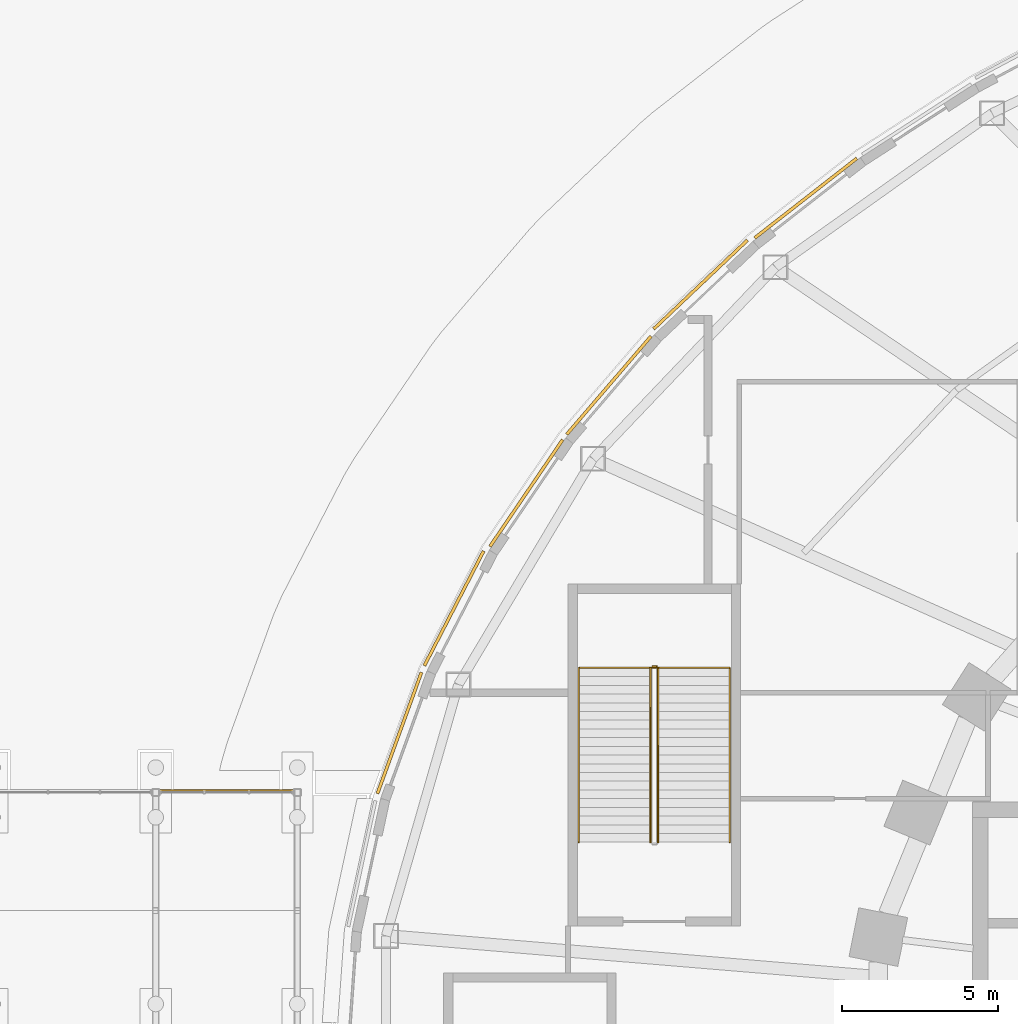
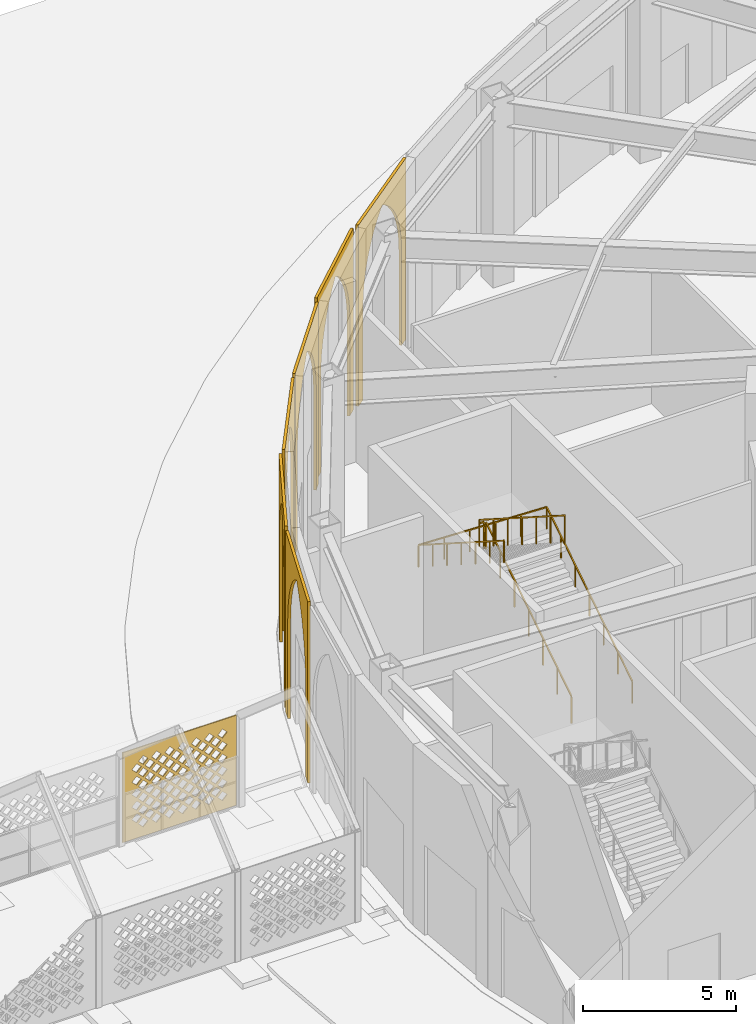
# One storey, part 72 of 79: 7 coverings, 4 railings.
"""IFC4 building model written with IfcOpenShell, lengths in metres."""

from ifc_helpers import new_model, si_unit, direction, frame, origin, origin_2d, place, context, subcontext, project, spatial, polyline, rectangle, outline, extrude, material, layer, layer_set, type_object, element, save


model = new_model("IFC4")

# Units and contexts
model_context = context("Model", 3, precision=1e-05, world=origin(), true_north=direction((0.0, 1.0)))
body_context = subcontext(model_context, "Body", "Model", "MODEL_VIEW")
ifc_project = project(units=[si_unit("LENGTHUNIT", "METRE"), si_unit("AREAUNIT", "SQUARE_METRE"), si_unit("VOLUMEUNIT", "CUBIC_METRE"), si_unit("PLANEANGLEUNIT", "RADIAN"), si_unit("MASSUNIT", "GRAM", prefix="KILO")], contexts=[model_context])

# Site, building, storey
site_placement = place(None, origin())
site = spatial("IfcSite", under=ifc_project, at=site_placement, CompositionType="ELEMENT")
building_placement = place(site_placement, origin())
building = spatial("IfcBuilding", under=site, at=building_placement, Name="Noorbagh Ring Tower", CompositionType="ELEMENT")
storey_placement = place(building_placement, origin())
storey = spatial("IfcBuildingStorey", under=building, at=storey_placement, Name="L00", CompositionType="ELEMENT", Elevation=0.0)

# Covering
ifc_material_1 = material(Name="Red sandstone jali", Category="masonry")
ifc_layer_1 = layer(ifc_material_1, 0.0400390625)
ifc_layer_set_1 = layer_set([ifc_layer_1], Name="Red sandstone jali")
covering_type_1 = type_object("IfcCoveringType", Name="AR-JALI", PredefinedType="USERDEFINED", material=ifc_layer_set_1)
covering_1_placement = place(storey_placement, frame((-53.324951171875, 8.889892578125, 0.0), z_axis=(0.0, 1.0, 0.0), x_axis=(-1.0, 0.0, 0.0)))
element("IfcCovering", 1, at=covering_1_placement, inside=storey, type_object=covering_type_1, Name="Jali screen", ObjectType="SCREEN", PredefinedType="USERDEFINED", context=body_context, shape_type="SweptSolid", body=[
    extrude(outline(polyline([(0.0, 0.0), (4.300048828125, 0.0), (4.300048828125, 3.60009765625), (0.0, 3.60009765625), (0.0, 0.0)]), holes=[polyline([(0.344970703125, 0.550048828125), (0.52490234375, 0.3701171875), (0.705078125, 0.550048828125), (0.52490234375, 0.72998046875), (0.344970703125, 0.550048828125)]), polyline([(0.844970703125, 0.550048828125), (1.02490234375, 0.3701171875), (1.205078125, 0.550048828125), (1.02490234375, 0.72998046875), (0.844970703125, 0.550048828125)]), polyline([(1.344970703125, 0.550048828125), (1.52490234375, 0.3701171875), (1.705078125, 0.550048828125), (1.52490234375, 0.72998046875), (1.344970703125, 0.550048828125)]), polyline([(1.844970703125, 0.550048828125), (2.02490234375, 0.3701171875), (2.205078125, 0.550048828125), (2.02490234375, 0.72998046875), (1.844970703125, 0.550048828125)]), polyline([(2.344970703125, 0.550048828125), (2.52490234375, 0.3701171875), (2.705078125, 0.550048828125), (2.52490234375, 0.72998046875), (2.344970703125, 0.550048828125)]), polyline([(2.844970703125, 0.550048828125), (3.02490234375, 0.3701171875), (3.205078125, 0.550048828125), (3.02490234375, 0.72998046875), (2.844970703125, 0.550048828125)]), polyline([(3.344970703125, 0.550048828125), (3.52490234375, 0.3701171875), (3.705078125, 0.550048828125), (3.52490234375, 0.72998046875), (3.344970703125, 0.550048828125)]), polyline([(0.594970703125, 0.800048828125), (0.77490234375, 0.6201171875), (0.955078125, 0.800048828125), (0.77490234375, 0.97998046875), (0.594970703125, 0.800048828125)]), polyline([(1.094970703125, 0.800048828125), (1.27490234375, 0.6201171875), (1.455078125, 0.800048828125), (1.27490234375, 0.97998046875), (1.094970703125, 0.800048828125)]), polyline([(1.594970703125, 0.800048828125), (1.77490234375, 0.6201171875), (1.955078125, 0.800048828125), (1.77490234375, 0.97998046875), (1.594970703125, 0.800048828125)]), polyline([(2.094970703125, 0.800048828125), (2.27490234375, 0.6201171875), (2.455078125, 0.800048828125), (2.27490234375, 0.97998046875), (2.094970703125, 0.800048828125)]), polyline([(2.594970703125, 0.800048828125), (2.77490234375, 0.6201171875), (2.955078125, 0.800048828125), (2.77490234375, 0.97998046875), (2.594970703125, 0.800048828125)]), polyline([(3.094970703125, 0.800048828125), (3.27490234375, 0.6201171875), (3.455078125, 0.800048828125), (3.27490234375, 0.97998046875), (3.094970703125, 0.800048828125)]), polyline([(3.594970703125, 0.800048828125), (3.77490234375, 0.6201171875), (3.955078125, 0.800048828125), (3.77490234375, 0.97998046875), (3.594970703125, 0.800048828125)]), polyline([(0.344970703125, 1.050048828125), (0.52490234375, 0.8701171875), (0.705078125, 1.050048828125), (0.52490234375, 1.22998046875), (0.344970703125, 1.050048828125)]), polyline([(0.844970703125, 1.050048828125), (1.02490234375, 0.8701171875), (1.205078125, 1.050048828125), (1.02490234375, 1.22998046875), (0.844970703125, 1.050048828125)]), polyline([(1.344970703125, 1.050048828125), (1.52490234375, 0.8701171875), (1.705078125, 1.050048828125), (1.52490234375, 1.22998046875), (1.344970703125, 1.050048828125)]), polyline([(1.844970703125, 1.050048828125), (2.02490234375, 0.8701171875), (2.205078125, 1.050048828125), (2.02490234375, 1.22998046875), (1.844970703125, 1.050048828125)]), polyline([(2.344970703125, 1.050048828125), (2.52490234375, 0.8701171875), (2.705078125, 1.050048828125), (2.52490234375, 1.22998046875), (2.344970703125, 1.050048828125)]), polyline([(2.844970703125, 1.050048828125), (3.02490234375, 0.8701171875), (3.205078125, 1.050048828125), (3.02490234375, 1.22998046875), (2.844970703125, 1.050048828125)]), polyline([(3.344970703125, 1.050048828125), (3.52490234375, 0.8701171875), (3.705078125, 1.050048828125), (3.52490234375, 1.22998046875), (3.344970703125, 1.050048828125)]), polyline([(0.594970703125, 1.300048828125), (0.77490234375, 1.1201171875), (0.955078125, 1.300048828125), (0.77490234375, 1.47998046875), (0.594970703125, 1.300048828125)]), polyline([(1.094970703125, 1.300048828125), (1.27490234375, 1.1201171875), (1.455078125, 1.300048828125), (1.27490234375, 1.47998046875), (1.094970703125, 1.300048828125)]), polyline([(1.594970703125, 1.300048828125), (1.77490234375, 1.1201171875), (1.955078125, 1.300048828125), (1.77490234375, 1.47998046875), (1.594970703125, 1.300048828125)]), polyline([(2.094970703125, 1.300048828125), (2.27490234375, 1.1201171875), (2.455078125, 1.300048828125), (2.27490234375, 1.47998046875), (2.094970703125, 1.300048828125)]), polyline([(2.594970703125, 1.300048828125), (2.77490234375, 1.1201171875), (2.955078125, 1.300048828125), (2.77490234375, 1.47998046875), (2.594970703125, 1.300048828125)]), polyline([(3.094970703125, 1.300048828125), (3.27490234375, 1.1201171875), (3.455078125, 1.300048828125), (3.27490234375, 1.47998046875), (3.094970703125, 1.300048828125)]), polyline([(3.594970703125, 1.300048828125), (3.77490234375, 1.1201171875), (3.955078125, 1.300048828125), (3.77490234375, 1.47998046875), (3.594970703125, 1.300048828125)]), polyline([(0.344970703125, 1.550048828125), (0.52490234375, 1.3701171875), (0.705078125, 1.550048828125), (0.52490234375, 1.72998046875), (0.344970703125, 1.550048828125)]), polyline([(0.844970703125, 1.550048828125), (1.02490234375, 1.3701171875), (1.205078125, 1.550048828125), (1.02490234375, 1.72998046875), (0.844970703125, 1.550048828125)]), polyline([(1.344970703125, 1.550048828125), (1.52490234375, 1.3701171875), (1.705078125, 1.550048828125), (1.52490234375, 1.72998046875), (1.344970703125, 1.550048828125)]), polyline([(1.844970703125, 1.550048828125), (2.02490234375, 1.3701171875), (2.205078125, 1.550048828125), (2.02490234375, 1.72998046875), (1.844970703125, 1.550048828125)]), polyline([(2.344970703125, 1.550048828125), (2.52490234375, 1.3701171875), (2.705078125, 1.550048828125), (2.52490234375, 1.72998046875), (2.344970703125, 1.550048828125)]), polyline([(2.844970703125, 1.550048828125), (3.02490234375, 1.3701171875), (3.205078125, 1.550048828125), (3.02490234375, 1.72998046875), (2.844970703125, 1.550048828125)]), polyline([(3.344970703125, 1.550048828125), (3.52490234375, 1.3701171875), (3.705078125, 1.550048828125), (3.52490234375, 1.72998046875), (3.344970703125, 1.550048828125)]), polyline([(0.594970703125, 1.800048828125), (0.77490234375, 1.6201171875), (0.955078125, 1.800048828125), (0.77490234375, 1.97998046875), (0.594970703125, 1.800048828125)]), polyline([(1.094970703125, 1.800048828125), (1.27490234375, 1.6201171875), (1.455078125, 1.800048828125), (1.27490234375, 1.97998046875), (1.094970703125, 1.800048828125)]), polyline([(1.594970703125, 1.800048828125), (1.77490234375, 1.6201171875), (1.955078125, 1.800048828125), (1.77490234375, 1.97998046875), (1.594970703125, 1.800048828125)]), polyline([(2.094970703125, 1.800048828125), (2.27490234375, 1.6201171875), (2.455078125, 1.800048828125), (2.27490234375, 1.97998046875), (2.094970703125, 1.800048828125)]), polyline([(2.594970703125, 1.800048828125), (2.77490234375, 1.6201171875), (2.955078125, 1.800048828125), (2.77490234375, 1.97998046875), (2.594970703125, 1.800048828125)]), polyline([(3.094970703125, 1.800048828125), (3.27490234375, 1.6201171875), (3.455078125, 1.800048828125), (3.27490234375, 1.97998046875), (3.094970703125, 1.800048828125)]), polyline([(3.594970703125, 1.800048828125), (3.77490234375, 1.6201171875), (3.955078125, 1.800048828125), (3.77490234375, 1.97998046875), (3.594970703125, 1.800048828125)]), polyline([(0.344970703125, 2.050048828125), (0.52490234375, 1.8701171875), (0.705078125, 2.050048828125), (0.52490234375, 2.22998046875), (0.344970703125, 2.050048828125)]), polyline([(0.844970703125, 2.050048828125), (1.02490234375, 1.8701171875), (1.205078125, 2.050048828125), (1.02490234375, 2.22998046875), (0.844970703125, 2.050048828125)]), polyline([(1.344970703125, 2.050048828125), (1.52490234375, 1.8701171875), (1.705078125, 2.050048828125), (1.52490234375, 2.22998046875), (1.344970703125, 2.050048828125)]), polyline([(1.844970703125, 2.050048828125), (2.02490234375, 1.8701171875), (2.205078125, 2.050048828125), (2.02490234375, 2.22998046875), (1.844970703125, 2.050048828125)]), polyline([(2.344970703125, 2.050048828125), (2.52490234375, 1.8701171875), (2.705078125, 2.050048828125), (2.52490234375, 2.22998046875), (2.344970703125, 2.050048828125)]), polyline([(2.844970703125, 2.050048828125), (3.02490234375, 1.8701171875), (3.205078125, 2.050048828125), (3.02490234375, 2.22998046875), (2.844970703125, 2.050048828125)]), polyline([(3.344970703125, 2.050048828125), (3.52490234375, 1.8701171875), (3.705078125, 2.050048828125), (3.52490234375, 2.22998046875), (3.344970703125, 2.050048828125)]), polyline([(0.594970703125, 2.300048828125), (0.77490234375, 2.1201171875), (0.955078125, 2.300048828125), (0.77490234375, 2.47998046875), (0.594970703125, 2.300048828125)]), polyline([(1.094970703125, 2.300048828125), (1.27490234375, 2.1201171875), (1.455078125, 2.300048828125), (1.27490234375, 2.47998046875), (1.094970703125, 2.300048828125)]), polyline([(1.594970703125, 2.300048828125), (1.77490234375, 2.1201171875), (1.955078125, 2.300048828125), (1.77490234375, 2.47998046875), (1.594970703125, 2.300048828125)]), polyline([(2.094970703125, 2.300048828125), (2.27490234375, 2.1201171875), (2.455078125, 2.300048828125), (2.27490234375, 2.47998046875), (2.094970703125, 2.300048828125)]), polyline([(2.594970703125, 2.300048828125), (2.77490234375, 2.1201171875), (2.955078125, 2.300048828125), (2.77490234375, 2.47998046875), (2.594970703125, 2.300048828125)]), polyline([(3.094970703125, 2.300048828125), (3.27490234375, 2.1201171875), (3.455078125, 2.300048828125), (3.27490234375, 2.47998046875), (3.094970703125, 2.300048828125)]), polyline([(3.594970703125, 2.300048828125), (3.77490234375, 2.1201171875), (3.955078125, 2.300048828125), (3.77490234375, 2.47998046875), (3.594970703125, 2.300048828125)]), polyline([(0.344970703125, 2.550048828125), (0.52490234375, 2.3701171875), (0.705078125, 2.550048828125), (0.52490234375, 2.72998046875), (0.344970703125, 2.550048828125)]), polyline([(0.844970703125, 2.550048828125), (1.02490234375, 2.3701171875), (1.205078125, 2.550048828125), (1.02490234375, 2.72998046875), (0.844970703125, 2.550048828125)]), polyline([(1.344970703125, 2.550048828125), (1.52490234375, 2.3701171875), (1.705078125, 2.550048828125), (1.52490234375, 2.72998046875), (1.344970703125, 2.550048828125)]), polyline([(1.844970703125, 2.550048828125), (2.02490234375, 2.3701171875), (2.205078125, 2.550048828125), (2.02490234375, 2.72998046875), (1.844970703125, 2.550048828125)]), polyline([(2.344970703125, 2.550048828125), (2.52490234375, 2.3701171875), (2.705078125, 2.550048828125), (2.52490234375, 2.72998046875), (2.344970703125, 2.550048828125)]), polyline([(2.844970703125, 2.550048828125), (3.02490234375, 2.3701171875), (3.205078125, 2.550048828125), (3.02490234375, 2.72998046875), (2.844970703125, 2.550048828125)]), polyline([(3.344970703125, 2.550048828125), (3.52490234375, 2.3701171875), (3.705078125, 2.550048828125), (3.52490234375, 2.72998046875), (3.344970703125, 2.550048828125)]), polyline([(0.594970703125, 2.800048828125), (0.77490234375, 2.6201171875), (0.955078125, 2.800048828125), (0.77490234375, 2.97998046875), (0.594970703125, 2.800048828125)]), polyline([(1.094970703125, 2.800048828125), (1.27490234375, 2.6201171875), (1.455078125, 2.800048828125), (1.27490234375, 2.97998046875), (1.094970703125, 2.800048828125)]), polyline([(1.594970703125, 2.800048828125), (1.77490234375, 2.6201171875), (1.955078125, 2.800048828125), (1.77490234375, 2.97998046875), (1.594970703125, 2.800048828125)]), polyline([(2.094970703125, 2.800048828125), (2.27490234375, 2.6201171875), (2.455078125, 2.800048828125), (2.27490234375, 2.97998046875), (2.094970703125, 2.800048828125)]), polyline([(2.594970703125, 2.800048828125), (2.77490234375, 2.6201171875), (2.955078125, 2.800048828125), (2.77490234375, 2.97998046875), (2.594970703125, 2.800048828125)]), polyline([(3.094970703125, 2.800048828125), (3.27490234375, 2.6201171875), (3.455078125, 2.800048828125), (3.27490234375, 2.97998046875), (3.094970703125, 2.800048828125)]), polyline([(3.594970703125, 2.800048828125), (3.77490234375, 2.6201171875), (3.955078125, 2.800048828125), (3.77490234375, 2.97998046875), (3.594970703125, 2.800048828125)]), polyline([(0.344970703125, 3.050048828125), (0.52490234375, 2.8701171875), (0.705078125, 3.050048828125), (0.52490234375, 3.22998046875), (0.344970703125, 3.050048828125)]), polyline([(0.844970703125, 3.050048828125), (1.02490234375, 2.8701171875), (1.205078125, 3.050048828125), (1.02490234375, 3.22998046875), (0.844970703125, 3.050048828125)]), polyline([(1.344970703125, 3.050048828125), (1.52490234375, 2.8701171875), (1.705078125, 3.050048828125), (1.52490234375, 3.22998046875), (1.344970703125, 3.050048828125)]), polyline([(1.844970703125, 3.050048828125), (2.02490234375, 2.8701171875), (2.205078125, 3.050048828125), (2.02490234375, 3.22998046875), (1.844970703125, 3.050048828125)]), polyline([(2.344970703125, 3.050048828125), (2.52490234375, 2.8701171875), (2.705078125, 3.050048828125), (2.52490234375, 3.22998046875), (2.344970703125, 3.050048828125)]), polyline([(2.844970703125, 3.050048828125), (3.02490234375, 2.8701171875), (3.205078125, 3.050048828125), (3.02490234375, 3.22998046875), (2.844970703125, 3.050048828125)]), polyline([(3.344970703125, 3.050048828125), (3.52490234375, 2.8701171875), (3.705078125, 3.050048828125), (3.52490234375, 3.22998046875), (3.344970703125, 3.050048828125)])]), origin(), (0.0, 0.0, -1.0), 0.0400390625),
])

# Railings
ifc_material_2 = material(Name="Stainless steel", Category="steel")
railing_type_1 = type_object("IfcRailingType", Name="GND-STAIR-GUARD", PredefinedType="GUARDRAIL", material=ifc_material_2)
railing_1_placement = place(storey_placement, frame((-41.60009765625, 7.199951171875, 0.178466796875)))
element("IfcRailing", 2, at=railing_1_placement, inside=storey, type_object=railing_type_1, Name="L00 ST-P7 stair guard", PredefinedType="GUARDRAIL", context=body_context, shape_type="SweptSolid", body=[
    extrude(rectangle(XDim=0.048095703125, YDim=0.048095703125, at=origin_2d()), frame((0.0, 0.0, 1.076171875), z_axis=(0.0, 0.843126799516, 0.537714794233), x_axis=(-1.0, 0.0, 0.0)), (0.0, 0.0, 1.0), 6.64208984375),
    extrude(rectangle(XDim=0.0419921875, YDim=0.0419921875, at=origin_2d()), origin(), (0.0, 0.0, 1.0), 1.052001953125),
    extrude(rectangle(XDim=0.0419921875, YDim=0.0419921875, at=origin_2d()), frame((0.0, 0.933349609375, 0.59521484375)), (0.0, 0.0, 1.0), 1.052001953125),
    extrude(rectangle(XDim=0.0419921875, YDim=0.0419921875, at=origin_2d()), frame((0.0, 1.86669921875, 1.1904296875)), (0.0, 0.0, 1.0), 1.052001953125),
    extrude(rectangle(XDim=0.0419921875, YDim=0.0419921875, at=origin_2d()), frame((0.0, 2.800048828125, 1.78564453125)), (0.0, 0.0, 1.0), 1.052001953125),
    extrude(rectangle(XDim=0.0419921875, YDim=0.0419921875, at=origin_2d()), frame((0.0, 3.7333984375, 2.381103515625)), (0.0, 0.0, 1.0), 1.052001953125),
    extrude(rectangle(XDim=0.0419921875, YDim=0.0419921875, at=origin_2d()), frame((0.0, 4.666748046875, 2.976318359375)), (0.0, 0.0, 1.0), 1.052001953125),
    extrude(rectangle(XDim=0.0419921875, YDim=0.0419921875, at=origin_2d()), frame((0.0, 5.60009765625, 3.571533203125)), (0.0, 0.0, 1.0), 1.052001953125),
])
railing_2_placement = place(storey_placement, frame((-41.64990234375, 12.85009765625, 3.75)))
element("IfcRailing", 3, at=railing_2_placement, inside=storey, type_object=railing_type_1, Name="L00 ST-P7 stair guard", PredefinedType="GUARDRAIL", context=body_context, shape_type="SweptSolid", body=[
    extrude(rectangle(XDim=0.048095703125, YDim=0.048095703125, at=origin_2d()), frame((0.0, 0.0, 1.076171875), z_axis=(-1.0, 0.0, 0.0), x_axis=(0.0, -1.0, 0.0)), (0.0, 0.0, 1.0), 0.150146484375),
    extrude(rectangle(XDim=0.0419921875, YDim=0.0419921875, at=origin_2d()), origin(), (0.0, 0.0, 1.0), 1.052001953125),
])
railing_3_placement = place(storey_placement, frame((-41.85009765625, 12.800048828125, 3.928466796875)))
element("IfcRailing", 4, at=railing_3_placement, inside=storey, type_object=railing_type_1, Name="L00 ST-P7 stair guard", PredefinedType="GUARDRAIL", context=body_context, shape_type="SweptSolid", body=[
    extrude(rectangle(XDim=0.048095703125, YDim=0.048095703125, at=origin_2d()), frame((0.0, 0.0, 1.076171875), z_axis=(0.0, -0.843126799516, 0.537714794233), x_axis=(1.0, 0.0, 0.0)), (0.0, 0.0, 1.0), 6.64208984375),
    extrude(rectangle(XDim=0.0419921875, YDim=0.0419921875, at=origin_2d()), origin(), (0.0, 0.0, 1.0), 1.052001953125),
    extrude(rectangle(XDim=0.0419921875, YDim=0.0419921875, at=origin_2d()), frame((0.0, -0.933349609375, 0.59521484375)), (0.0, 0.0, 1.0), 1.052001953125),
    extrude(rectangle(XDim=0.0419921875, YDim=0.0419921875, at=origin_2d()), frame((0.0, -1.86669921875, 1.1904296875)), (0.0, 0.0, 1.0), 1.052001953125),
    extrude(rectangle(XDim=0.0419921875, YDim=0.0419921875, at=origin_2d()), frame((0.0, -2.800048828125, 1.78564453125)), (0.0, 0.0, 1.0), 1.052001953125),
    extrude(rectangle(XDim=0.0419921875, YDim=0.0419921875, at=origin_2d()), frame((0.0, -3.7333984375, 2.381103515625)), (0.0, 0.0, 1.0), 1.052001953125),
    extrude(rectangle(XDim=0.0419921875, YDim=0.0419921875, at=origin_2d()), frame((0.0, -4.666748046875, 2.976318359375)), (0.0, 0.0, 1.0), 1.052001953125),
    extrude(rectangle(XDim=0.0419921875, YDim=0.0419921875, at=origin_2d()), frame((0.0, -5.60009765625, 3.571533203125)), (0.0, 0.0, 1.0), 1.052001953125),
])
ifc_material_3 = material(Name="Stainless steel", Category="steel")
railing_type_2 = type_object("IfcRailingType", Name="GND-STAIR-HANDRAIL", PredefinedType="HANDRAIL", material=ifc_material_3)
railing_4_placement = place(storey_placement, frame((-39.300048828125, 7.199951171875, 0.178466796875)))
element("IfcRailing", 5, at=railing_4_placement, inside=storey, type_object=railing_type_2, Name="L00 ST-P7 stair handrail", PredefinedType="HANDRAIL", context=body_context, shape_type="SweptSolid", body=[
    extrude(rectangle(XDim=0.048095703125, YDim=0.048095703125, at=origin_2d()), frame((0.0, 0.0, 0.8759765625), z_axis=(0.0, 0.843126799516, 0.537714794233), x_axis=(-1.0, 0.0, 0.0)), (0.0, 0.0, 1.0), 6.64208984375),
    extrude(rectangle(XDim=0.048095703125, YDim=0.048095703125, at=origin_2d()), frame((0.0, 5.60009765625, 4.447265625), z_axis=(-0.999323626121, 0.0, 0.036773499657), x_axis=(0.0, -1.0, 0.0)), (0.0, 0.0, 1.0), 4.85302734375),
    extrude(rectangle(XDim=0.048095703125, YDim=0.048095703125, at=origin_2d()), frame((-4.849853515625, 5.60009765625, 4.6259765625), z_axis=(0.0, -0.843126799516, 0.537714794233), x_axis=(1.0, 0.0, 0.0)), (0.0, 0.0, 1.0), 6.64208984375),
    extrude(rectangle(XDim=0.0419921875, YDim=0.0419921875, at=origin_2d()), origin(), (0.0, 0.0, 1.0), 0.851806640625),
    extrude(rectangle(XDim=0.0419921875, YDim=0.0419921875, at=origin_2d()), frame((0.0, 0.933349609375, 0.59521484375)), (0.0, 0.0, 1.0), 0.851806640625),
    extrude(rectangle(XDim=0.0419921875, YDim=0.0419921875, at=origin_2d()), frame((0.0, 1.86669921875, 1.1904296875)), (0.0, 0.0, 1.0), 0.851806640625),
    extrude(rectangle(XDim=0.0419921875, YDim=0.0419921875, at=origin_2d()), frame((0.0, 2.800048828125, 1.78564453125)), (0.0, 0.0, 1.0), 0.851806640625),
    extrude(rectangle(XDim=0.0419921875, YDim=0.0419921875, at=origin_2d()), frame((0.0, 3.7333984375, 2.381103515625)), (0.0, 0.0, 1.0), 0.851806640625),
    extrude(rectangle(XDim=0.0419921875, YDim=0.0419921875, at=origin_2d()), frame((0.0, 4.666748046875, 2.976318359375)), (0.0, 0.0, 1.0), 0.851806640625),
    extrude(rectangle(XDim=0.0419921875, YDim=0.0419921875, at=origin_2d()), frame((0.0, 5.60009765625, 3.571533203125)), (0.0, 0.0, 1.0), 0.851806640625),
    extrude(rectangle(XDim=0.0419921875, YDim=0.0419921875, at=origin_2d()), frame((-0.969970703125, 5.60009765625, 3.607177734375)), (0.0, 0.0, 1.0), 0.851806640625),
    extrude(rectangle(XDim=0.0419921875, YDim=0.0419921875, at=origin_2d()), frame((-1.93994140625, 5.60009765625, 3.642822265625)), (0.0, 0.0, 1.0), 0.851806640625),
    extrude(rectangle(XDim=0.0419921875, YDim=0.0419921875, at=origin_2d()), frame((-2.909912109375, 5.60009765625, 3.6787109375)), (0.0, 0.0, 1.0), 0.851806640625),
    extrude(rectangle(XDim=0.0419921875, YDim=0.0419921875, at=origin_2d()), frame((-3.8798828125, 5.60009765625, 3.71435546875)), (0.0, 0.0, 1.0), 0.851806640625),
    extrude(rectangle(XDim=0.0419921875, YDim=0.0419921875, at=origin_2d()), frame((-4.849853515625, 5.60009765625, 3.75)), (0.0, 0.0, 1.0), 0.851806640625),
    extrude(rectangle(XDim=0.0419921875, YDim=0.0419921875, at=origin_2d()), frame((-4.849853515625, 4.666748046875, 4.34521484375)), (0.0, 0.0, 1.0), 0.851806640625),
    extrude(rectangle(XDim=0.0419921875, YDim=0.0419921875, at=origin_2d()), frame((-4.849853515625, 3.7333984375, 4.9404296875)), (0.0, 0.0, 1.0), 0.851806640625),
    extrude(rectangle(XDim=0.0419921875, YDim=0.0419921875, at=origin_2d()), frame((-4.849853515625, 2.800048828125, 5.53564453125)), (0.0, 0.0, 1.0), 0.851806640625),
    extrude(rectangle(XDim=0.0419921875, YDim=0.0419921875, at=origin_2d()), frame((-4.849853515625, 1.86669921875, 6.131103515625)), (0.0, 0.0, 1.0), 0.851806640625),
    extrude(rectangle(XDim=0.0419921875, YDim=0.0419921875, at=origin_2d()), frame((-4.849853515625, 0.933349609375, 6.726318359375)), (0.0, 0.0, 1.0), 0.851806640625),
    extrude(rectangle(XDim=0.0419921875, YDim=0.0419921875, at=origin_2d()), frame((-4.849853515625, 0.0, 7.321533203125)), (0.0, 0.0, 1.0), 0.851806640625),
])

# Coverings
ifc_material_4 = material(Name="Red sandstone cladding", Category="masonry")
ifc_layer_2 = layer(ifc_material_4, 0.10009765625)
ifc_layer_set_2 = layer_set([ifc_layer_2], Name="Red sandstone cladding")
covering_type_2 = type_object("IfcCoveringType", Name="STY-SPANDREL", PredefinedType="USERDEFINED", material=ifc_layer_set_2)
covering_2_placement = place(storey_placement, frame((-35.248291015625, 29.217529296875, 0.0), z_axis=(-0.61491372542, 0.788594388741, 1.8350413e-05), x_axis=(-0.788594388874, -0.614913725523, -3.965e-09)))
element("IfcCovering", 6, at=covering_2_placement, inside=storey, type_object=covering_type_2, Name="Arch spandrel", ObjectType="ARCH", PredefinedType="USERDEFINED", context=body_context, shape_type="SweptSolid", body=[
    extrude(outline(polyline([(0.0, 0.0), (0.3999223808659082, 8.470329472543003e-22), (0.3999223657969676, 3.80004882748519), (0.42878661701925463, 4.23852539173011), (0.5145439420758967, 4.669433595146307), (0.6557813250963032, 5.085693362779788), (0.8501001926727958, 5.479736329800591), (1.0941393317589685, 5.844970707649089), (1.3839370276213974, 6.175292974881326), (1.714268675047326, 6.465087898006637), (2.07956701547382, 6.709228524004814), (2.4452080111848153, 6.465087900864665), (2.775539660909084, 6.175292980337561), (3.065144831464301, 5.84497071918513), (3.3093765013740897, 5.479736344402517), (3.5035028441487337, 5.0856933768101085), (3.6449327583974336, 4.66943361057966), (3.7306900868715744, 4.238525407890961), (3.7593618136444125, 3.8000488500376313), (3.7593618287133532, 2.2552441414744773e-08), (4.159284209579262, 2.2552441414744773e-08), (4.159284180829679, 7.2500000213317675), (-2.8749583040236817e-08, 7.249999998779326), (0.0, 0.0)])), origin(), (0.0, 0.0, -1.0), 0.10009765625),
])
covering_3_placement = place(storey_placement, frame((-38.69775390625, 26.513916015625, 0.0), z_axis=(0.687597658603, -0.726091908317, 2.368352e-05), x_axis=(-0.72609190852, -0.687597658796, -9.3e-10)))
element("IfcCovering", 7, at=covering_3_placement, inside=storey, type_object=covering_type_2, Name="Arch spandrel", ObjectType="ARCH", PredefinedType="USERDEFINED", context=body_context, shape_type="SweptSolid", body=[
    extrude(outline(polyline([(0.0, 0.0), (0.4001396319828925, -1.6940658945086007e-21), (0.4001396284484026, -3.800048827059259), (0.4288049655865981, -4.23803710608733), (0.5144652367784236, -4.668701170565641), (0.6555532192702964, -5.084472649860298), (0.8496717357077587, -5.478027343127386), (1.0935184700533027, -5.843017575794833), (1.3829611516687732, -6.173095702455622), (1.7131584357859195, -6.462646483673806), (2.078242958482661, -6.706542970104193), (2.443327481633107, -6.462646487921384), (2.773179627234365, -6.1730957070242365), (3.0626223094638583, -5.843017583870169), (3.3066463130207233, -5.478027351968273), (3.5007554321801027, -5.084472662281992), (3.641852813455594, -4.668701181233974), (3.7275130854485554, -4.23803712095385), (3.7561784234015114, -3.8000488377275925), (3.7561784269360015, -1.0668333275998026e-08), (4.156318058918894, -1.0668333275998026e-08), (4.156318052175546, -7.250000008635038), (-6.7433480009831965e-09, -7.249999997966705), (0.0, 0.0)])), origin(), (0.0, 0.0, -1.0), 0.10009765625),
])
covering_4_placement = place(storey_placement, frame((-41.871337890625, 23.492919921875, 0.0), z_axis=(-0.75875641917, 0.651374467054, 6.200918e-06), x_axis=(-0.651374467067, -0.758756419184, 2.47e-10)))
element("IfcCovering", 8, at=covering_4_placement, inside=storey, type_object=covering_type_2, Name="Arch spandrel", ObjectType="ARCH", PredefinedType="USERDEFINED", context=body_context, shape_type="SweptSolid", body=[
    extrude(outline(polyline([(0.0, 0.0), (0.399939156593362, -2.117582368135751e-22), (0.39993915753357273, 3.8000488280519407), (0.4286708850030375, 4.237548827352265), (0.514203743018228, 4.66772460898029), (0.6551344343367632, 5.083007812076974), (0.8492120942750822, 5.4763183585072905), (1.0928087772061397, 5.8410644520367985), (1.38195226726699, 6.170654296593714), (1.7117703485598805, 6.459716796435672), (2.07638421077644, 6.703613280318032), (2.440998072872309, 6.45971679545977), (2.7708161540221594, 6.170654295312843), (3.059774400653512, 5.841064451396363), (3.303556326670481, 5.476318358425965), (3.4972897161782726, 5.0830078112840535), (3.638379434260807, 4.667724606997989), (3.7239122920631287, 4.237548826142554), (3.7528292625825026, 3.800048826445769), (3.752829261642292, -1.6061715723068696e-09), (4.152768418235654, -1.6061715723051756e-09), (4.152768420029454, 7.249999998254442), (1.7938001202860929e-09, 7.249999999860613), (0.0, 0.0)])), origin(), (0.0, 0.0, -1.0), 0.10009765625),
])
covering_5_placement = place(storey_placement, frame((-44.714599609375, 20.161376953125, 0.0), z_axis=(-0.826645111421, 0.562723607792, 3.158038e-05), x_axis=(-0.562723608073, -0.826645111833, -4.608e-09)))
element("IfcCovering", 9, at=covering_5_placement, inside=storey, type_object=covering_type_2, Name="Arch spandrel", ObjectType="ARCH", PredefinedType="USERDEFINED", context=body_context, shape_type="SweptSolid", body=[
    extrude(outline(polyline([(0.0, 0.0), (0.39992886915652237, -8.470329472543003e-22), (0.3999288516454719, 3.800048826230067), (0.42857248585740876, 4.237060545091614), (0.5141641912069348, 4.666748047899035), (0.6548790930690014, 5.081542964022724), (0.8486819833904349, 5.474365227540926), (1.0919145971101432, 5.838623046862827), (1.3807898012441513, 6.167968749597674), (1.7100907076820775, 6.45678711044775), (2.0745359943492865, 6.700195315277563), (2.438642081912167, 6.45678711613342), (2.7679429910119078, 6.167968758521539), (3.0568181981812392, 5.838623055334851), (3.3001881989514064, 5.474365243647187), (3.493991092893178, 5.081542976307159), (3.634770432538967, 4.6667480598069355), (3.7201603241943326, 4.237060558703333), (3.7488039624338674, 3.8000488405007213), (3.7488039799449178, 1.4270654628338012e-08), (4.1489346667556966, 1.8610213852394465e-08), (4.148934633346885, 7.250000014994927), (-3.3408811828170246e-08, 7.249999996384713), (0.0, 0.0)])), origin(), (0.0, 0.0, -1.0), 0.10009765625),
])
covering_6_placement = place(storey_placement, frame((-47.1669921875, 16.534423828125, 0.0), z_axis=(0.888321749773, -0.45922158971, 2.0608095e-05), x_axis=(-0.459221589807, -0.888321749962, -7.655e-09)))
element("IfcCovering", 10, at=covering_6_placement, inside=storey, type_object=covering_type_2, Name="Arch spandrel", ObjectType="ARCH", PredefinedType="USERDEFINED", context=body_context, shape_type="SweptSolid", body=[
    extrude(outline(polyline([(0.0, 0.0), (0.40008083581034976, 0.0), (0.4000808067227761, -3.8000488273180713), (0.42869003869526356, -4.23657226600259), (0.513859761205178, -4.665771484170215), (0.6546103579555558, -5.080078127212542), (0.84810038685253, -5.47241211327268), (1.0913836450172085, -5.836181648522695), (1.379868979201033, -6.165283209577351), (1.708650953809713, -6.453857434013534), (2.0724804354389748, -6.697021497247876), (2.4364220354367965, -6.453857440055736), (2.765420889890511, -6.165283224805666), (3.053689353685332, -5.836181663308898), (3.2968605027730287, -5.472412131743154), (3.490462652322213, -5.080078153690163), (3.631101140769284, -4.665771511188195), (3.716382984495781, -4.236572296508346), (3.7450969839323167, -3.8000488535991974), (3.7450970130198904, -2.6281126003921342e-08), (4.145073088048952, -3.3060182804931523e-08), (4.145073032553636, -7.250000031520668), (-5.549531559902495e-08, -7.249999998460485), (0.0, 0.0)])), origin(), (0.0, 0.0, -1.0), 0.10009765625),
])
covering_7_placement = place(storey_placement, frame((-49.16357421875, 12.639892578125, 0.0), z_axis=(0.939974802467, -0.341243857849, 1.4377162e-05), x_axis=(-0.341243857885, -0.939974802564, -6.11e-10)))
element("IfcCovering", 11, at=covering_7_placement, inside=storey, type_object=covering_type_2, Name="Arch spandrel", ObjectType="ARCH", PredefinedType="USERDEFINED", context=body_context, shape_type="SweptSolid", body=[
    extrude(outline(polyline([(0.0, 0.0), (0.3999796173112085, 2.117582368135751e-22), (0.39997961498933177, -3.8000488277322595), (0.4285555382086196, -4.236083984172867), (0.513741024843498, -4.664794921431452), (0.6542220217420478, -5.078857420148165), (0.8475370455735874, -5.470703126326399), (1.0903490834912686, -5.834228515617632), (1.3786531129716362, -6.162841797112191), (1.7071929213925439, -6.450927733993236), (2.0705661215842075, -6.69384765644088), (2.4341688081085078, -6.450927733991094), (2.7627919283702047, -6.162841799231097), (3.050783160727622, -5.834228516191814), (3.2936785105782818, -5.470703127607599), (3.4869102233999247, -5.078857424317419), (3.6277040183289935, -4.664794925221487), (3.712889505487767, -4.236083987568687), (3.7414654292399003, -3.800048831599424), (3.7414654315617772, -3.867164323878271e-09), (4.141445048872986, -3.867164323878271e-09), (4.141445044443146, -7.250000003117867), (-4.429839536299381e-09, -7.2499999992507025), (0.0, 0.0)])), origin(), (0.0, 0.0, -1.0), 0.10009765625),
])

save(model, "model.ifc")
